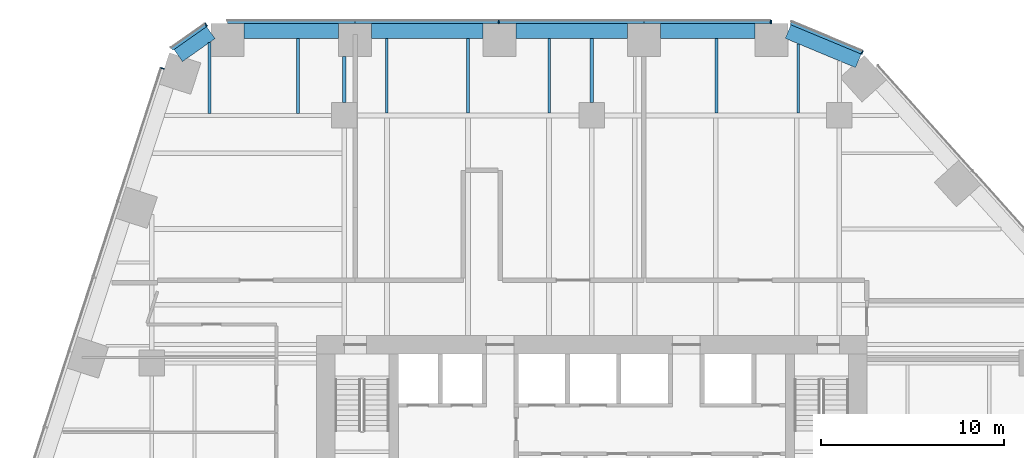
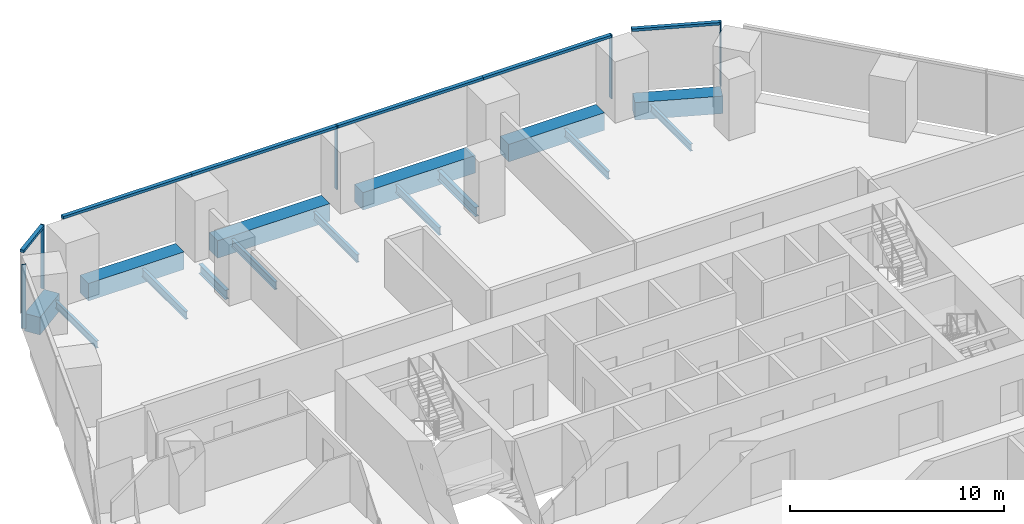
# One storey, part 12 of 20: 15 beams, 11 members, 4 elements without a shape of their own.
"""IFC4 building model written with IfcOpenShell, lengths in metres."""

from ifc_helpers import new_model, si_unit, direction, frame, origin, origin_2d, place, context, subcontext, project, spatial, rectangle, i_section, extrude, material, layer, layer_set, material_profile, profile_set, type_object, element, aggregate, save


model = new_model("IFC4")

# Units and contexts
model_context = context("Model", 3, precision=1e-05, world=origin(), true_north=direction((0.0, 1.0)))
body_context = subcontext(model_context, "Body", "Model", "MODEL_VIEW")
ifc_project = project(units=[si_unit("LENGTHUNIT", "METRE"), si_unit("AREAUNIT", "SQUARE_METRE"), si_unit("VOLUMEUNIT", "CUBIC_METRE"), si_unit("PLANEANGLEUNIT", "RADIAN"), si_unit("MASSUNIT", "GRAM", prefix="KILO")], contexts=[model_context])

# Site, building, storey
site_placement = place(None, origin())
site = spatial("IfcSite", under=ifc_project, at=site_placement, CompositionType="ELEMENT")
building_placement = place(site_placement, origin())
building = spatial("IfcBuilding", under=site, at=building_placement, Name="Isthmus Gate Tower", CompositionType="ELEMENT")
storey_placement = place(building_placement, frame((0.0, 0.0, 65.199951171875)))
storey = spatial("IfcBuildingStorey", under=building, at=storey_placement, Name="L14", CompositionType="ELEMENT", Elevation=65.199951171875)

# Curtain wall, members
ifc_material_1 = material(Name="Aluminium, pale champagne anodised", Category="aluminium")
ifc_layer = layer(ifc_material_1, 0.199951171875)
ifc_layer_set = layer_set([ifc_layer], Name="CW-1 UNITISED CURTAIN WALL 200 DEEP")
curtain_wall_type = type_object("IfcCurtainWallType", Name="CW-1 UNITISED CURTAIN WALL 200 DEEP", PredefinedType="NOTDEFINED", material=ifc_layer_set)
curtain_wall_1_placement = place(storey_placement, origin())
curtain_wall_1 = element("IfcCurtainWall", 1, at=curtain_wall_1_placement, inside=storey, type_object=curtain_wall_type, Name="CW-1 N L14", PredefinedType="NOTDEFINED")
ifc_material_2 = material(Name="Aluminium, pale champagne anodised", Category="aluminium")
ifc_material_profile_1 = material_profile(ifc_material_2, rectangle(XDim=0.06005859375, YDim=0.199951171875, at=origin_2d()), Name="60x200")
ifc_profile_set_1 = profile_set([ifc_material_profile_1], Name="Aluminium, pale champagne anodised")
member_type_1 = type_object("IfcMemberType", Name="CW-1 MULLION 60 X 200", PredefinedType="MULLION", material=ifc_profile_set_1)
member_1_placement = place(storey_placement, frame((9.77197265625, 32.10009765625, 0.0), z_axis=(0.0, 0.0, 1.0), x_axis=(-1.0, 0.0, 0.0)))
member_1 = element("IfcMember", 2, at=member_1_placement, type_object=member_type_1, Name="CW-1 mullion", PredefinedType="MULLION", context=body_context, shape_type="SweptSolid", body=[
    extrude(rectangle(XDim=0.06005859375, YDim=0.199951171875, at=origin_2d()), origin(), (0.0, 0.0, 1.0), 3.650146484375),
])
member_2_placement = place(storey_placement, frame((-5.067138671875, 32.10009765625, 0.0), z_axis=(0.0, 0.0, 1.0), x_axis=(-1.0, 0.0, 0.0)))
member_2 = element("IfcMember", 3, at=member_2_placement, type_object=member_type_1, Name="CW-1 mullion", PredefinedType="MULLION", context=body_context, shape_type="SweptSolid", body=[
    extrude(rectangle(XDim=0.06005859375, YDim=0.199951171875, at=origin_2d()), origin(), (0.0, 0.0, 1.0), 3.650146484375),
])

# Curtain wall, member
curtain_wall_2_placement = place(storey_placement, origin())
curtain_wall_2 = element("IfcCurtainWall", 4, at=curtain_wall_2_placement, inside=storey, type_object=curtain_wall_type, Name="CW-1 N-NW L14", PredefinedType="NOTDEFINED")
member_3_placement = place(storey_placement, frame((-21.031005859375, 31.943115234375, 0.0), z_axis=(0.0, 0.0, 1.0), x_axis=(-0.81785959165, -0.57541783805, 0.0)))
member_3 = element("IfcMember", 5, at=member_3_placement, type_object=member_type_1, Name="CW-1 mullion", PredefinedType="MULLION", context=body_context, shape_type="SweptSolid", body=[
    extrude(rectangle(XDim=0.06005859375, YDim=0.199951171875, at=origin_2d()), origin(), (0.0, 0.0, 1.0), 3.650146484375),
])

curtain_wall_3_placement = place(storey_placement, origin())
curtain_wall_3 = element("IfcCurtainWall", 6, at=curtain_wall_3_placement, inside=storey, type_object=curtain_wall_type, Name="CW-1 NW L14", PredefinedType="NOTDEFINED")
member_4_placement = place(storey_placement, frame((-23.41162109375, 29.561279296875, 0.0), z_axis=(0.0, 0.0, 1.0), x_axis=(-0.309016994375, -0.951056516295, 0.0)))
member_4 = element("IfcMember", 7, at=member_4_placement, type_object=member_type_1, Name="CW-1 mullion", PredefinedType="MULLION", context=body_context, shape_type="SweptSolid", body=[
    extrude(rectangle(XDim=0.06005859375, YDim=0.199951171875, at=origin_2d()), origin(), (0.0, 0.0, 1.0), 3.650146484375),
])
aggregate(curtain_wall_3, [member_4])

curtain_wall_4_placement = place(storey_placement, origin())
curtain_wall_4 = element("IfcCurtainWall", 8, at=curtain_wall_4_placement, inside=storey, type_object=curtain_wall_type, Name="CW-1 NE-N L14", PredefinedType="NOTDEFINED")
member_5_placement = place(storey_placement, frame((14.744140625, 30.427490234375, 0.0), z_axis=(0.0, 0.0, 1.0), x_axis=(-0.923353128387, 0.383951820282, 0.0)))
member_5 = element("IfcMember", 9, at=member_5_placement, type_object=member_type_1, Name="CW-1 mullion", PredefinedType="MULLION", context=body_context, shape_type="SweptSolid", body=[
    extrude(rectangle(XDim=0.06005859375, YDim=0.199951171875, at=origin_2d()), origin(), (0.0, 0.0, 1.0), 3.650146484375),
])

# Member
ifc_material_3 = material(Name="Aluminium, pale champagne anodised", Category="aluminium")
ifc_material_profile_2 = material_profile(ifc_material_3, rectangle(XDim=0.199951171875, YDim=0.14990234375, at=origin_2d()), Name="200x150")
ifc_profile_set_2 = profile_set([ifc_material_profile_2], Name="Aluminium, pale champagne anodised")
member_type_2 = type_object("IfcMemberType", Name="CW-1 TRANSOM 200 X 150", PredefinedType="USERDEFINED", material=ifc_profile_set_2)
member_6_placement = place(storey_placement, frame((9.741943359375, 32.10009765625, 3.574951171875), z_axis=(-1.0, 0.0, 0.0), x_axis=(0.0, -1.0, 0.0)))
member_6 = element("IfcMember", 10, at=member_6_placement, type_object=member_type_2, Name="CW-1 transom", ObjectType="TRANSOM", PredefinedType="USERDEFINED", context=body_context, shape_type="SweptSolid", body=[
    extrude(rectangle(XDim=0.199951171875, YDim=0.14990234375, at=origin_2d()), origin(), (0.0, 0.0, 1.0), 6.90966796875),
])

member_7_placement = place(storey_placement, frame((2.832275390625, 32.10009765625, 3.574951171875), z_axis=(-1.0, 0.0, 0.0), x_axis=(0.0, -1.0, 0.0)))
member_7 = element("IfcMember", 11, at=member_7_placement, type_object=member_type_2, Name="CW-1 transom", ObjectType="TRANSOM", PredefinedType="USERDEFINED", context=body_context, shape_type="SweptSolid", body=[
    extrude(rectangle(XDim=0.199951171875, YDim=0.14990234375, at=origin_2d()), origin(), (0.0, 0.0, 1.0), 7.869384765625),
])

member_8_placement = place(storey_placement, frame((-5.09716796875, 32.10009765625, 3.574951171875), z_axis=(-1.0, 0.0, 0.0), x_axis=(0.0, -1.0, 0.0)))
member_8 = element("IfcMember", 12, at=member_8_placement, type_object=member_type_2, Name="CW-1 transom", ObjectType="TRANSOM", PredefinedType="USERDEFINED", context=body_context, shape_type="SweptSolid", body=[
    extrude(rectangle(XDim=0.199951171875, YDim=0.14990234375, at=origin_2d()), origin(), (0.0, 0.0, 1.0), 7.8095703125),
])

member_9_placement = place(storey_placement, frame((-12.90673828125, 32.10009765625, 3.574951171875), z_axis=(-1.0, 0.0, 0.0), x_axis=(0.0, -1.0, 0.0)))
member_9 = element("IfcMember", 13, at=member_9_placement, type_object=member_type_2, Name="CW-1 transom", ObjectType="TRANSOM", PredefinedType="USERDEFINED", context=body_context, shape_type="SweptSolid", body=[
    extrude(rectangle(XDim=0.199951171875, YDim=0.14990234375, at=origin_2d()), origin(), (0.0, 0.0, 1.0), 6.969482421875),
])

aggregate(curtain_wall_1, [member_1, member_6, member_7, member_2, member_8, member_9])

member_10_placement = place(storey_placement, frame((-21.055419921875, 31.92578125, 3.574951171875), z_axis=(-0.817868595604, -0.575405040233, 0.0), x_axis=(0.575405040233, -0.817868595604, 0.0)))
member_10 = element("IfcMember", 14, at=member_10_placement, type_object=member_type_2, Name="CW-1 transom", ObjectType="TRANSOM", PredefinedType="USERDEFINED", context=body_context, shape_type="SweptSolid", body=[
    extrude(rectangle(XDim=0.199951171875, YDim=0.14990234375, at=origin_2d()), origin(), (0.0, 0.0, 1.0), 2.258544921875),
])

aggregate(curtain_wall_2, [member_3, member_10])

member_11_placement = place(storey_placement, frame((14.716552734375, 30.43896484375, 3.574951171875), z_axis=(-0.923358236369, 0.383939536033, 0.0), x_axis=(-0.383939536033, -0.923358236369, 0.0)))
member_11 = element("IfcMember", 15, at=member_11_placement, type_object=member_type_2, Name="CW-1 transom", ObjectType="TRANSOM", PredefinedType="USERDEFINED", context=body_context, shape_type="SweptSolid", body=[
    extrude(rectangle(XDim=0.199951171875, YDim=0.14990234375, at=origin_2d()), origin(), (0.0, 0.0, 1.0), 4.181640625),
])

aggregate(curtain_wall_4, [member_5, member_11])

# Beams
ifc_material_4 = material(Name="Concrete f'c 70 MPa", Category="concrete")
ifc_material_profile_3 = material_profile(ifc_material_4, rectangle(XDim=0.800048828125, YDim=1.0, at=origin_2d()), Name="RC 800X1000")
ifc_profile_set_3 = profile_set([ifc_material_profile_3], Name="Concrete f'c 70 MPa")
beam_type_1 = type_object("IfcBeamType", Name="RC SPANDREL 800 X 1000", PredefinedType="SPANDREL", material=ifc_profile_set_3)
beam_1_placement = place(storey_placement, frame((10.701904296875, 31.56689453125, -0.5), z_axis=(0.923334166719, -0.383997417399, 0.0), x_axis=(0.383997417399, 0.923334166719, 0.0)))
element("IfcBeam", 16, at=beam_1_placement, inside=storey, type_object=beam_type_1, Name="str-spandrel-L14-00", PredefinedType="SPANDREL", context=body_context, shape_type="SweptSolid", body=[
    extrude(rectangle(XDim=0.800048828125, YDim=1.0, at=origin_2d()), origin(), (0.0, 0.0, 1.0), 4.15234375),
])
beam_2_placement = place(storey_placement, frame((-22.553466796875, 30.260498046875, -0.5), z_axis=(0.817857331203, 0.575421050882, 0.0), x_axis=(-0.575421050882, 0.817857331203, 0.0)))
element("IfcBeam", 17, at=beam_2_placement, inside=storey, type_object=beam_type_1, Name="str-spandrel-L14-22", PredefinedType="SPANDREL", context=body_context, shape_type="SweptSolid", body=[
    extrude(rectangle(XDim=0.800048828125, YDim=1.0, at=origin_2d()), origin(), (0.0, 0.0, 1.0), 2.173095703125),
])
beam_3_placement = place(storey_placement, frame((-18.976318359375, 31.60009765625, -0.5), z_axis=(1.0, 0.0, 0.0), x_axis=(0.0, 1.0, 0.0)))
element("IfcBeam", 18, at=beam_3_placement, inside=storey, type_object=beam_type_1, Name="str-spandrel-L14-23", PredefinedType="SPANDREL", context=body_context, shape_type="SweptSolid", body=[
    extrude(rectangle(XDim=0.800048828125, YDim=1.0, at=origin_2d()), origin(), (0.0, 0.0, 1.0), 5.169677734375),
])
beam_4_placement = place(storey_placement, frame((-12.006591796875, 31.60009765625, -0.5), z_axis=(1.0, 0.0, 0.0), x_axis=(0.0, 1.0, 0.0)))
element("IfcBeam", 19, at=beam_4_placement, inside=storey, type_object=beam_type_1, Name="str-spandrel-L14-24", PredefinedType="SPANDREL", context=body_context, shape_type="SweptSolid", body=[
    extrude(rectangle(XDim=0.800048828125, YDim=1.0, at=origin_2d()), origin(), (0.0, 0.0, 1.0), 6.0693359375),
])
beam_5_placement = place(storey_placement, frame((-4.13720703125, 31.60009765625, -0.5), z_axis=(1.0, 0.0, 0.0), x_axis=(0.0, 1.0, 0.0)))
element("IfcBeam", 20, at=beam_5_placement, inside=storey, type_object=beam_type_1, Name="str-spandrel-L14-25", PredefinedType="SPANDREL", context=body_context, shape_type="SweptSolid", body=[
    extrude(rectangle(XDim=0.800048828125, YDim=1.0, at=origin_2d()), origin(), (0.0, 0.0, 1.0), 6.069580078125),
])
beam_6_placement = place(storey_placement, frame((3.732421875, 31.60009765625, -0.5), z_axis=(1.0, 0.0, 0.0), x_axis=(0.0, 1.0, 0.0)))
element("IfcBeam", 21, at=beam_6_placement, inside=storey, type_object=beam_type_1, Name="str-spandrel-L14-26", PredefinedType="SPANDREL", context=body_context, shape_type="SweptSolid", body=[
    extrude(rectangle(XDim=0.800048828125, YDim=1.0, at=origin_2d()), origin(), (0.0, 0.0, 1.0), 5.16943359375),
])
ifc_material_5 = material(Name="Structural steel ASTM A992 Gr 50", Category="steel")
ifc_material_profile_4 = material_profile(ifc_material_5, i_section(OverallWidth=0.1396484375, OverallDepth=0.4033203125, WebThickness=0.00634765625, FlangeThickness=0.010986328125, at=origin_2d()), Name="W16X31")
ifc_profile_set_4 = profile_set([ifc_material_profile_4], Name="Structural steel ASTM A992 Gr 50")
beam_type_2 = type_object("IfcBeamType", Name="STEEL FLOOR BEAM W16X31", PredefinedType="JOIST", material=ifc_profile_set_4)
beam_7_placement = place(storey_placement, frame((-20.846435546875, 27.1142578125, -0.3515625), z_axis=(0.0, 1.0, 0.0), x_axis=(-1.0, 0.0, 0.0)))
element("IfcBeam", 22, at=beam_7_placement, inside=storey, type_object=beam_type_2, Name="str-beam-L14-08-00", PredefinedType="JOIST", context=body_context, shape_type="SweptSolid", body=[
    extrude(i_section(OverallWidth=0.1396484375, OverallDepth=0.4033203125, WebThickness=0.00634765625, FlangeThickness=0.010986328125, at=origin_2d()), origin(), (0.0, 0.0, 1.0), 3.858154296875),
])
beam_8_placement = place(storey_placement, frame((11.267578125, 27.1318359375, -0.3515625), z_axis=(0.0, 1.0, 0.0), x_axis=(-1.0, 0.0, 0.0)))
element("IfcBeam", 23, at=beam_8_placement, inside=storey, type_object=beam_type_2, Name="str-beam-L14-19-02", PredefinedType="JOIST", context=body_context, shape_type="SweptSolid", body=[
    extrude(i_section(OverallWidth=0.1396484375, OverallDepth=0.4033203125, WebThickness=0.00634765625, FlangeThickness=0.010986328125, at=origin_2d()), origin(), (0.0, 0.0, 1.0), 3.7666015625),
])
ifc_material_6 = material(Name="Structural steel ASTM A992 Gr 50", Category="steel")
ifc_material_profile_5 = material_profile(ifc_material_6, i_section(OverallWidth=0.15234375, OverallDepth=0.45068359375, WebThickness=0.0078125, FlangeThickness=0.010986328125, at=origin_2d()), Name="W18X35")
ifc_profile_set_5 = profile_set([ifc_material_profile_5], Name="Structural steel ASTM A992 Gr 50")
beam_type_3 = type_object("IfcBeamType", Name="STEEL FLOOR BEAM W18X35", PredefinedType="JOIST", material=ifc_profile_set_5)
beam_9_placement = place(storey_placement, frame((-16.0185546875, 27.1142578125, -0.375244140625), z_axis=(0.0, 1.0, 0.0), x_axis=(-1.0, 0.0, 0.0)))
element("IfcBeam", 24, at=beam_9_placement, inside=storey, type_object=beam_type_3, Name="str-beam-L14-08-01", PredefinedType="JOIST", context=body_context, shape_type="SweptSolid", body=[
    extrude(i_section(OverallWidth=0.15234375, OverallDepth=0.45068359375, WebThickness=0.0078125, FlangeThickness=0.010986328125, at=origin_2d()), origin(), (0.0, 0.0, 1.0), 4.085693359375),
])
for number, where, z_axis, x_axis, name in (
    (25, (-11.18017578125, 27.1318359375, -0.375244140625), (0.0, 1.0, 0.0), (-1.0, 0.0, 0.0), "str-beam-L14-14-00"),
    (26, (-6.75, 27.1318359375, -0.375244140625), (0.0, 1.0, 0.0), (-1.0, 0.0, 0.0), "str-beam-L14-14-01"),
    (27, (-2.31982421875, 27.1318359375, -0.375244140625), (0.0, 1.0, 0.0), (-1.0, 0.0, 0.0), "str-beam-L14-14-02"),
    (28, (6.802490234375, 27.1318359375, -0.375244140625), (0.0, 1.0, 0.0), (-1.0, 0.0, 0.0), "str-beam-L14-19-01"),
):
    element("IfcBeam", number, at=place(storey_placement, frame(where, z_axis=z_axis, x_axis=x_axis)), inside=storey, type_object=beam_type_3, Name=name, PredefinedType="JOIST", context=body_context, shape_type="SweptSolid", body=[
        extrude(i_section(OverallWidth=0.15234375, OverallDepth=0.45068359375, WebThickness=0.0078125, FlangeThickness=0.010986328125, at=origin_2d()), origin(), (0.0, 0.0, 1.0), 4.068115234375),
    ])
ifc_material_7 = material(Name="Structural steel ASTM A992 Gr 50", Category="steel")
ifc_material_profile_6 = material_profile(ifc_material_7, i_section(OverallWidth=0.20947265625, OverallDepth=0.533447265625, WebThickness=0.009521484375, FlangeThickness=0.015869140625, at=origin_2d()), Name="W21X62")
ifc_profile_set_6 = profile_set([ifc_material_profile_6], Name="Structural steel ASTM A992 Gr 50")
beam_type_4 = type_object("IfcBeamType", Name="STEEL GIRDER W21X62", PredefinedType="BEAM", material=ifc_profile_set_6)
beam_10_placement = place(storey_placement, frame((-13.5, 27.699951171875, -0.416748046875), z_axis=(0.0, 1.0, 0.0), x_axis=(-1.0, 0.0, 0.0)))
element("IfcBeam", 29, at=beam_10_placement, inside=storey, type_object=beam_type_4, Name="str-girder-L14-27", PredefinedType="BEAM", context=body_context, shape_type="SweptSolid", body=[
    extrude(i_section(OverallWidth=0.20947265625, OverallDepth=0.533447265625, WebThickness=0.009521484375, FlangeThickness=0.015869140625, at=origin_2d()), origin(), (0.0, 0.0, 1.0), 2.5),
])
beam_11_placement = place(storey_placement, frame((0.0, 27.699951171875, -0.416748046875), z_axis=(0.0, 1.0, 0.0), x_axis=(-1.0, 0.0, 0.0)))
element("IfcBeam", 30, at=beam_11_placement, inside=storey, type_object=beam_type_4, Name="str-girder-L14-30", PredefinedType="BEAM", context=body_context, shape_type="SweptSolid", body=[
    extrude(i_section(OverallWidth=0.20947265625, OverallDepth=0.533447265625, WebThickness=0.009521484375, FlangeThickness=0.015869140625, at=origin_2d()), origin(), (0.0, 0.0, 1.0), 3.5),
])

save(model, "model.ifc")
